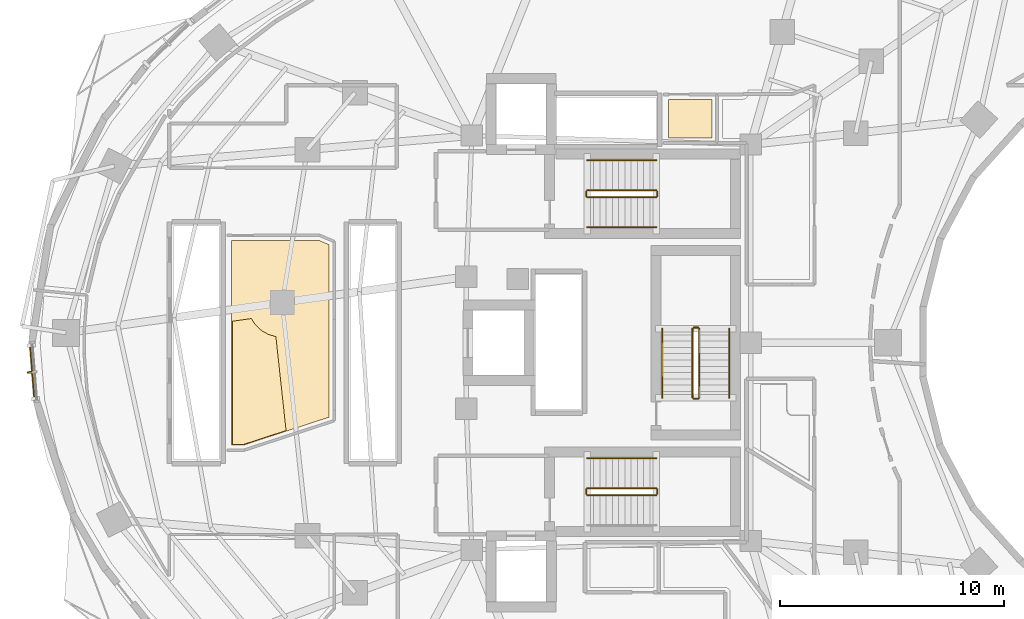
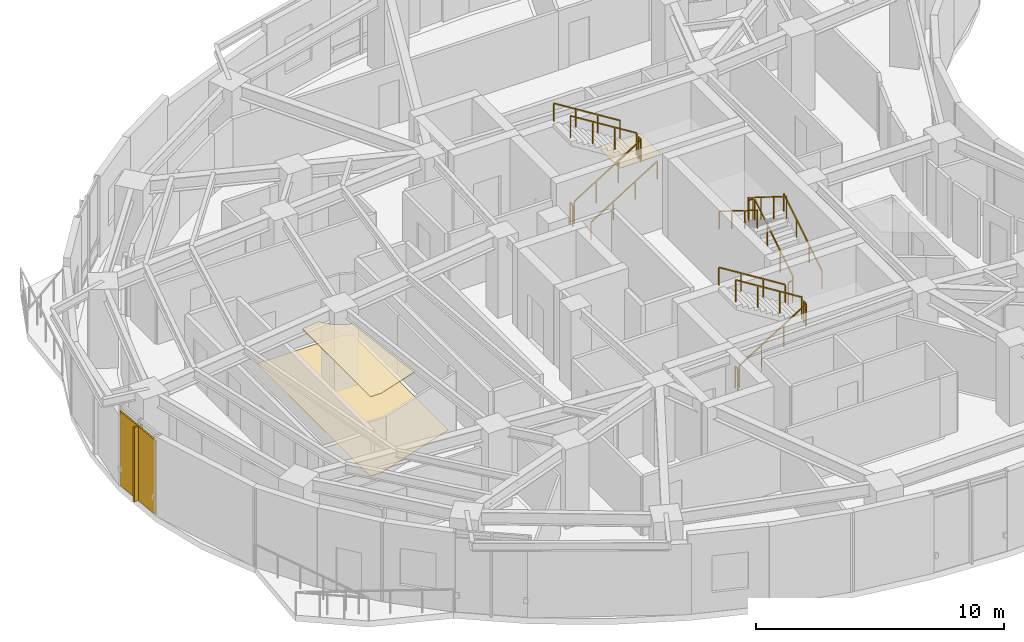
# One storey, part 14 of 15: 17 railings, 3 coverings, 2 shading devices.
"""IFC4 building model written with IfcOpenShell, lengths in metres."""

from ifc_helpers import new_model, si_unit, direction, frame, origin, origin_2d, place, context, subcontext, project, spatial, polyline, rectangle, outline, extrude, material, layer, layer_set, type_object, element, save


model = new_model("IFC4")

# Units and contexts
model_context = context("Model", 3, precision=1e-05, world=origin(), true_north=direction((0.0, 1.0)))
body_context = subcontext(model_context, "Body", "Model", "MODEL_VIEW")
ifc_project = project(units=[si_unit("LENGTHUNIT", "METRE"), si_unit("AREAUNIT", "SQUARE_METRE"), si_unit("VOLUMEUNIT", "CUBIC_METRE"), si_unit("PLANEANGLEUNIT", "RADIAN"), si_unit("MASSUNIT", "GRAM", prefix="KILO")], contexts=[model_context])

# Site, building, storey
site_placement = place(None, origin())
site = spatial("IfcSite", under=ifc_project, at=site_placement, CompositionType="ELEMENT")
building_placement = place(site_placement, origin())
building = spatial("IfcBuilding", under=site, at=building_placement, Name="Korentha Bioscience Tower", CompositionType="ELEMENT")
storey_placement = place(building_placement, frame((0.0, 0.0, 98.39990234375)))
storey = spatial("IfcBuildingStorey", under=building, at=storey_placement, Name="L22", CompositionType="ELEMENT", Elevation=98.39990234375)

# Covering
ifc_material_1 = material(Name="Vitrified Porcelain Tile", Category="ceramic")
ifc_layer_1 = layer(ifc_material_1, 0.014892578125, Name="Vitrified Porcelain Tile")
ifc_layer_set_1 = layer_set([ifc_layer_1], Name="Vitrified Porcelain Tile (FL-CER)")
covering_type_1 = type_object("IfcCoveringType", Name="Anti-Slip Ceramic Wet-Room Tile Flooring 15", PredefinedType="FLOORING", material=ifc_layer_set_1)
covering_1_placement = place(storey_placement, origin())
element("IfcCovering", 1, at=covering_1_placement, inside=storey, type_object=covering_type_1, Name="L22 Accessible Staff WC Floor Finish", PredefinedType="FLOORING", context=body_context, shape_type="SweptSolid", body=[
    extrude(outline(polyline([(33.8701171875, 36.1298828125), (33.8701171875, 37.8701171875), (35.830078125, 37.8701171875), (35.830078125, 36.1298828125), (33.8701171875, 36.1298828125)])), origin(), (0.0, 0.0, 1.0), 0.01513671875),
])

# Railings
ifc_material_2 = material(Name="Stainless Steel 304", Category="steel")
railing_type_1 = type_object("IfcRailingType", Name="Brushed Stainless Stair Handrail 900", PredefinedType="HANDRAIL", material=ifc_material_2)
railing_1_placement = place(storey_placement, frame((30.25, 32.14990234375, 0.175048828125)))
element("IfcRailing", 2, at=railing_1_placement, inside=storey, type_object=railing_type_1, Name="L22 ST-1 stair handrail 1", PredefinedType="HANDRAIL", context=body_context, shape_type="SweptSolid", body=[
    extrude(rectangle(XDim=0.048095703125, YDim=0.048095703125, at=origin_2d()), frame((0.0, 0.0, 0.8759765625), z_axis=(0.847998304005, 0.0, 0.529998940003), x_axis=(0.0, 1.0, 0.0)), (0.0, 0.0, 1.0), 3.632080078125),
    extrude(rectangle(XDim=0.0419921875, YDim=0.0419921875, at=origin_2d()), origin(), (0.0, 0.0, 1.0), 0.851806640625),
    extrude(rectangle(XDim=0.0419921875, YDim=0.0419921875, at=origin_2d()), frame((1.026611328125, 0.0, 0.6416015625)), (0.0, 0.0, 1.0), 0.851806640625),
    extrude(rectangle(XDim=0.0419921875, YDim=0.0419921875, at=origin_2d()), frame((2.053466796875, 0.0, 1.283447265625)), (0.0, 0.0, 1.0), 0.851806640625),
    extrude(rectangle(XDim=0.0419921875, YDim=0.0419921875, at=origin_2d()), frame((3.080078125, 0.0, 1.925048828125)), (0.0, 0.0, 1.0), 0.851806640625),
])
for number, where, name in (
    (3, (33.330078125, 35.14990234375, 2.275146484375), "L22 ST-1 stair handrail 2"),
    (4, (33.330078125, 21.85009765625, 2.275146484375), "L22 ST-2 stair handrail 2"),
):
    element("IfcRailing", number, at=place(storey_placement, frame(where)), inside=storey, type_object=railing_type_1, Name=name, PredefinedType="HANDRAIL", context=body_context, shape_type="SweptSolid", body=[
        extrude(rectangle(XDim=0.048095703125, YDim=0.048095703125, at=origin_2d()), frame((0.0, 0.0, 0.8759765625), z_axis=(-0.847998304005, 0.0, 0.529998940003), x_axis=(0.0, -1.0, 0.0)), (0.0, 0.0, 1.0), 3.632080078125),
        extrude(rectangle(XDim=0.0419921875, YDim=0.0419921875, at=origin_2d()), origin(), (0.0, 0.0, 1.0), 0.851806640625),
        extrude(rectangle(XDim=0.0419921875, YDim=0.0419921875, at=origin_2d()), frame((-1.026611328125, 0.0, 0.6416015625)), (0.0, 0.0, 1.0), 0.851806640625),
        extrude(rectangle(XDim=0.0419921875, YDim=0.0419921875, at=origin_2d()), frame((-2.053466796875, 0.0, 1.283447265625)), (0.0, 0.0, 1.0), 0.851806640625),
        extrude(rectangle(XDim=0.0419921875, YDim=0.0419921875, at=origin_2d()), frame((-3.080078125, 0.0, 1.925048828125)), (0.0, 0.0, 1.0), 0.851806640625),
    ])
railing_2_placement = place(storey_placement, frame((36.60009765625, 24.550048828125, 0.175048828125)))
element("IfcRailing", 5, at=railing_2_placement, inside=storey, type_object=railing_type_1, Name="L22 ST-3 stair handrail 1", PredefinedType="HANDRAIL", context=body_context, shape_type="SweptSolid", body=[
    extrude(rectangle(XDim=0.048095703125, YDim=0.048095703125, at=origin_2d()), frame((0.0, 0.0, 0.8759765625), z_axis=(0.0, 0.847979421464, 0.530029150871), x_axis=(-1.0, 0.0, 0.0)), (0.0, 0.0, 1.0), 3.632080078125),
    extrude(rectangle(XDim=0.0419921875, YDim=0.0419921875, at=origin_2d()), origin(), (0.0, 0.0, 1.0), 0.851806640625),
    extrude(rectangle(XDim=0.0419921875, YDim=0.0419921875, at=origin_2d()), frame((0.0, 1.026611328125, 0.6416015625)), (0.0, 0.0, 1.0), 0.851806640625),
    extrude(rectangle(XDim=0.0419921875, YDim=0.0419921875, at=origin_2d()), frame((0.0, 2.05322265625, 1.283447265625)), (0.0, 0.0, 1.0), 0.851806640625),
    extrude(rectangle(XDim=0.0419921875, YDim=0.0419921875, at=origin_2d()), frame((0.0, 3.079833984375, 1.925048828125)), (0.0, 0.0, 1.0), 0.851806640625),
])
railing_3_placement = place(storey_placement, frame((33.60009765625, 27.6298828125, 2.275146484375)))
element("IfcRailing", 6, at=railing_3_placement, inside=storey, type_object=railing_type_1, Name="L22 ST-3 stair handrail 2", PredefinedType="HANDRAIL", context=body_context, shape_type="SweptSolid", body=[
    extrude(rectangle(XDim=0.048095703125, YDim=0.048095703125, at=origin_2d()), frame((0.0, 0.0, 0.8759765625), z_axis=(0.0, -0.847979421464, 0.530029150871), x_axis=(1.0, 0.0, 0.0)), (0.0, 0.0, 1.0), 3.632080078125),
    extrude(rectangle(XDim=0.0419921875, YDim=0.0419921875, at=origin_2d()), origin(), (0.0, 0.0, 1.0), 0.851806640625),
    extrude(rectangle(XDim=0.0419921875, YDim=0.0419921875, at=origin_2d()), frame((0.0, -1.026611328125, 0.6416015625)), (0.0, 0.0, 1.0), 0.851806640625),
    extrude(rectangle(XDim=0.0419921875, YDim=0.0419921875, at=origin_2d()), frame((0.0, -2.05322265625, 1.283447265625)), (0.0, 0.0, 1.0), 0.851806640625),
    extrude(rectangle(XDim=0.0419921875, YDim=0.0419921875, at=origin_2d()), frame((0.0, -3.079833984375, 1.925048828125)), (0.0, 0.0, 1.0), 0.851806640625),
])

# Covering
ifc_material_3 = material(Name="Antimicrobial Mineral Fibre Board", Category="gypsum")
ifc_layer_2 = layer(ifc_material_3, 0.034912109375, Name="Antimicrobial Mineral Fibre Board")
ifc_layer_set_2 = layer_set([ifc_layer_2], Name="Antimicrobial Mineral Fibre Board (CL-MF35)")
covering_type_2 = type_object("IfcCoveringType", Name="Mineral-Fibre Cleanroom Suspended Ceiling 35", PredefinedType="CEILING", material=ifc_layer_set_2)
covering_2_placement = place(storey_placement, frame((0.0, 0.0, 3.864990234375)))
element("IfcCovering", 7, at=covering_2_placement, inside=storey, type_object=covering_type_2, Name="L22 Senior Scientist Corner Office 11 Acoustic Ceiling", PredefinedType="CEILING", context=body_context, shape_type="SweptSolid", body=[
    extrude(outline(polyline([(14.409912109375, 22.4599609375), (14.409912109375, 27.96044921875), (15.25390625, 28.078857421875), (15.428955078125, 27.813232421875), (15.643798828125, 27.598388671875), (15.76611328125, 27.5078125), (16.033935546875, 27.364501953125), (16.35009765625, 27.272705078125), (16.805419921875, 23.080810546875), (14.906494140625, 22.4599609375), (14.409912109375, 22.4599609375)])), origin(), (0.0, 0.0, 1.0), 0.03515625),
])

# Railings
ifc_material_4 = material(Name="Painted Steel S275", Category="steel")
railing_type_2 = type_object("IfcRailingType", Name="Painted Steel Stair Well Guardrail 1100", PredefinedType="GUARDRAIL", material=ifc_material_4)
railing_4_placement = place(storey_placement, frame((30.25, 33.5, 0.175048828125)))
element("IfcRailing", 8, at=railing_4_placement, inside=storey, type_object=railing_type_2, Name="L22 ST-1 stair guard 1", PredefinedType="GUARDRAIL", context=body_context, shape_type="SweptSolid", body=[
    extrude(rectangle(XDim=0.048095703125, YDim=0.048095703125, at=origin_2d()), frame((0.0, 0.0, 1.076171875), z_axis=(0.847998304005, 0.0, 0.529998940003), x_axis=(0.0, 1.0, 0.0)), (0.0, 0.0, 1.0), 3.632080078125),
    extrude(rectangle(XDim=0.0419921875, YDim=0.0419921875, at=origin_2d()), origin(), (0.0, 0.0, 1.0), 1.052001953125),
    extrude(rectangle(XDim=0.0419921875, YDim=0.0419921875, at=origin_2d()), frame((1.026611328125, 0.0, 0.6416015625)), (0.0, 0.0, 1.0), 1.052001953125),
    extrude(rectangle(XDim=0.0419921875, YDim=0.0419921875, at=origin_2d()), frame((2.053466796875, 0.0, 1.283447265625)), (0.0, 0.0, 1.0), 1.052001953125),
    extrude(rectangle(XDim=0.0419921875, YDim=0.0419921875, at=origin_2d()), frame((3.080078125, 0.0, 1.925048828125)), (0.0, 0.0, 1.0), 1.052001953125),
])
railing_5_placement = place(storey_placement, frame((33.3798828125, 33.550048828125, 2.10009765625)))
element("IfcRailing", 9, at=railing_5_placement, inside=storey, type_object=railing_type_2, Name="L22 ST-1 stair guard 2", PredefinedType="GUARDRAIL", context=body_context, shape_type="SweptSolid", body=[
    extrude(rectangle(XDim=0.048095703125, YDim=0.048095703125, at=origin_2d()), frame((0.0, 0.0, 1.076171875), z_axis=(0.0, 1.0, 0.0), x_axis=(-1.0, 0.0, 0.0)), (0.0, 0.0, 1.0), 0.199951171875),
    extrude(rectangle(XDim=0.0419921875, YDim=0.0419921875, at=origin_2d()), origin(), (0.0, 0.0, 1.0), 1.052001953125),
    extrude(rectangle(XDim=0.0419921875, YDim=0.0419921875, at=origin_2d()), frame((0.0, 0.199951171875, 0.0)), (0.0, 0.0, 1.0), 1.052001953125),
])
railing_6_placement = place(storey_placement, frame((33.330078125, 33.800048828125, 2.275146484375)))
element("IfcRailing", 10, at=railing_6_placement, inside=storey, type_object=railing_type_2, Name="L22 ST-1 stair guard 3", PredefinedType="GUARDRAIL", context=body_context, shape_type="SweptSolid", body=[
    extrude(rectangle(XDim=0.048095703125, YDim=0.048095703125, at=origin_2d()), frame((0.0, 0.0, 1.076171875), z_axis=(-0.847998304005, 0.0, 0.529998940003), x_axis=(0.0, -1.0, 0.0)), (0.0, 0.0, 1.0), 3.632080078125),
    extrude(rectangle(XDim=0.0419921875, YDim=0.0419921875, at=origin_2d()), origin(), (0.0, 0.0, 1.0), 1.052001953125),
    extrude(rectangle(XDim=0.0419921875, YDim=0.0419921875, at=origin_2d()), frame((-1.026611328125, 0.0, 0.6416015625)), (0.0, 0.0, 1.0), 1.052001953125),
    extrude(rectangle(XDim=0.0419921875, YDim=0.0419921875, at=origin_2d()), frame((-2.053466796875, 0.0, 1.283447265625)), (0.0, 0.0, 1.0), 1.052001953125),
    extrude(rectangle(XDim=0.0419921875, YDim=0.0419921875, at=origin_2d()), frame((-3.080078125, 0.0, 1.925048828125)), (0.0, 0.0, 1.0), 1.052001953125),
])
railing_7_placement = place(storey_placement, frame((30.199951171875, 33.550048828125, 0.0)))
element("IfcRailing", 11, at=railing_7_placement, inside=storey, type_object=railing_type_2, Name="L22 ST-1 stair guard 4", PredefinedType="GUARDRAIL", context=body_context, shape_type="SweptSolid", body=[
    extrude(rectangle(XDim=0.048095703125, YDim=0.048095703125, at=origin_2d()), frame((0.0, 0.0, 1.076171875), z_axis=(0.0, 1.0, 0.0), x_axis=(-1.0, 0.0, 0.0)), (0.0, 0.0, 1.0), 0.199951171875),
    extrude(rectangle(XDim=0.0419921875, YDim=0.0419921875, at=origin_2d()), origin(), (0.0, 0.0, 1.0), 1.052001953125),
    extrude(rectangle(XDim=0.0419921875, YDim=0.0419921875, at=origin_2d()), frame((0.0, 0.199951171875, 0.0)), (0.0, 0.0, 1.0), 1.052001953125),
])
railing_8_placement = place(storey_placement, frame((30.25, 20.199951171875, 0.175048828125)))
element("IfcRailing", 12, at=railing_8_placement, inside=storey, type_object=railing_type_2, Name="L22 ST-2 stair guard 1", PredefinedType="GUARDRAIL", context=body_context, shape_type="SweptSolid", body=[
    extrude(rectangle(XDim=0.048095703125, YDim=0.048095703125, at=origin_2d()), frame((0.0, 0.0, 1.076171875), z_axis=(0.847998304005, 0.0, 0.529998940003), x_axis=(0.0, 1.0, 0.0)), (0.0, 0.0, 1.0), 3.632080078125),
    extrude(rectangle(XDim=0.0419921875, YDim=0.0419921875, at=origin_2d()), origin(), (0.0, 0.0, 1.0), 1.052001953125),
    extrude(rectangle(XDim=0.0419921875, YDim=0.0419921875, at=origin_2d()), frame((1.026611328125, 0.0, 0.6416015625)), (0.0, 0.0, 1.0), 1.052001953125),
    extrude(rectangle(XDim=0.0419921875, YDim=0.0419921875, at=origin_2d()), frame((2.053466796875, 0.0, 1.283447265625)), (0.0, 0.0, 1.0), 1.052001953125),
    extrude(rectangle(XDim=0.0419921875, YDim=0.0419921875, at=origin_2d()), frame((3.080078125, 0.0, 1.925048828125)), (0.0, 0.0, 1.0), 1.052001953125),
])
railing_9_placement = place(storey_placement, frame((33.3798828125, 20.25, 2.10009765625)))
element("IfcRailing", 13, at=railing_9_placement, inside=storey, type_object=railing_type_2, Name="L22 ST-2 stair guard 2", PredefinedType="GUARDRAIL", context=body_context, shape_type="SweptSolid", body=[
    extrude(rectangle(XDim=0.048095703125, YDim=0.048095703125, at=origin_2d()), frame((0.0, 0.0, 1.076171875), z_axis=(0.0, 1.0, 0.0), x_axis=(-1.0, 0.0, 0.0)), (0.0, 0.0, 1.0), 0.199951171875),
    extrude(rectangle(XDim=0.0419921875, YDim=0.0419921875, at=origin_2d()), origin(), (0.0, 0.0, 1.0), 1.052001953125),
    extrude(rectangle(XDim=0.0419921875, YDim=0.0419921875, at=origin_2d()), frame((0.0, 0.199951171875, 0.0)), (0.0, 0.0, 1.0), 1.052001953125),
])
railing_10_placement = place(storey_placement, frame((33.330078125, 20.5, 2.275146484375)))
element("IfcRailing", 14, at=railing_10_placement, inside=storey, type_object=railing_type_2, Name="L22 ST-2 stair guard 3", PredefinedType="GUARDRAIL", context=body_context, shape_type="SweptSolid", body=[
    extrude(rectangle(XDim=0.048095703125, YDim=0.048095703125, at=origin_2d()), frame((0.0, 0.0, 1.076171875), z_axis=(-0.847998304005, 0.0, 0.529998940003), x_axis=(0.0, -1.0, 0.0)), (0.0, 0.0, 1.0), 3.632080078125),
    extrude(rectangle(XDim=0.0419921875, YDim=0.0419921875, at=origin_2d()), origin(), (0.0, 0.0, 1.0), 1.052001953125),
    extrude(rectangle(XDim=0.0419921875, YDim=0.0419921875, at=origin_2d()), frame((-1.026611328125, 0.0, 0.6416015625)), (0.0, 0.0, 1.0), 1.052001953125),
    extrude(rectangle(XDim=0.0419921875, YDim=0.0419921875, at=origin_2d()), frame((-2.053466796875, 0.0, 1.283447265625)), (0.0, 0.0, 1.0), 1.052001953125),
    extrude(rectangle(XDim=0.0419921875, YDim=0.0419921875, at=origin_2d()), frame((-3.080078125, 0.0, 1.925048828125)), (0.0, 0.0, 1.0), 1.052001953125),
])
railing_11_placement = place(storey_placement, frame((30.199951171875, 20.25, 0.0)))
element("IfcRailing", 15, at=railing_11_placement, inside=storey, type_object=railing_type_2, Name="L22 ST-2 stair guard 4", PredefinedType="GUARDRAIL", context=body_context, shape_type="SweptSolid", body=[
    extrude(rectangle(XDim=0.048095703125, YDim=0.048095703125, at=origin_2d()), frame((0.0, 0.0, 1.076171875), z_axis=(0.0, 1.0, 0.0), x_axis=(-1.0, 0.0, 0.0)), (0.0, 0.0, 1.0), 0.199951171875),
    extrude(rectangle(XDim=0.0419921875, YDim=0.0419921875, at=origin_2d()), origin(), (0.0, 0.0, 1.0), 1.052001953125),
    extrude(rectangle(XDim=0.0419921875, YDim=0.0419921875, at=origin_2d()), frame((0.0, 0.199951171875, 0.0)), (0.0, 0.0, 1.0), 1.052001953125),
])
railing_12_placement = place(storey_placement, frame((35.25, 24.550048828125, 0.175048828125)))
element("IfcRailing", 16, at=railing_12_placement, inside=storey, type_object=railing_type_2, Name="L22 ST-3 stair guard 1", PredefinedType="GUARDRAIL", context=body_context, shape_type="SweptSolid", body=[
    extrude(rectangle(XDim=0.048095703125, YDim=0.048095703125, at=origin_2d()), frame((0.0, 0.0, 1.076171875), z_axis=(0.0, 0.847979421464, 0.530029150871), x_axis=(-1.0, 0.0, 0.0)), (0.0, 0.0, 1.0), 3.632080078125),
    extrude(rectangle(XDim=0.0419921875, YDim=0.0419921875, at=origin_2d()), origin(), (0.0, 0.0, 1.0), 1.052001953125),
    extrude(rectangle(XDim=0.0419921875, YDim=0.0419921875, at=origin_2d()), frame((0.0, 1.026611328125, 0.6416015625)), (0.0, 0.0, 1.0), 1.052001953125),
    extrude(rectangle(XDim=0.0419921875, YDim=0.0419921875, at=origin_2d()), frame((0.0, 2.05322265625, 1.283447265625)), (0.0, 0.0, 1.0), 1.052001953125),
    extrude(rectangle(XDim=0.0419921875, YDim=0.0419921875, at=origin_2d()), frame((0.0, 3.079833984375, 1.925048828125)), (0.0, 0.0, 1.0), 1.052001953125),
])
railing_13_placement = place(storey_placement, frame((35.199951171875, 27.679931640625, 2.10009765625)))
element("IfcRailing", 17, at=railing_13_placement, inside=storey, type_object=railing_type_2, Name="L22 ST-3 stair guard 2", PredefinedType="GUARDRAIL", context=body_context, shape_type="SweptSolid", body=[
    extrude(rectangle(XDim=0.048095703125, YDim=0.048095703125, at=origin_2d()), frame((0.0, 0.0, 1.076171875), z_axis=(-1.0, 0.0, 0.0), x_axis=(0.0, -1.0, 0.0)), (0.0, 0.0, 1.0), 0.199951171875),
    extrude(rectangle(XDim=0.0419921875, YDim=0.0419921875, at=origin_2d()), origin(), (0.0, 0.0, 1.0), 1.052001953125),
    extrude(rectangle(XDim=0.0419921875, YDim=0.0419921875, at=origin_2d()), frame((-0.199951171875, 0.0, 0.0)), (0.0, 0.0, 1.0), 1.052001953125),
])
railing_14_placement = place(storey_placement, frame((34.949951171875, 27.6298828125, 2.275146484375)))
element("IfcRailing", 18, at=railing_14_placement, inside=storey, type_object=railing_type_2, Name="L22 ST-3 stair guard 3", PredefinedType="GUARDRAIL", context=body_context, shape_type="SweptSolid", body=[
    extrude(rectangle(XDim=0.048095703125, YDim=0.048095703125, at=origin_2d()), frame((0.0, 0.0, 1.076171875), z_axis=(0.0, -0.847979421464, 0.530029150871), x_axis=(1.0, 0.0, 0.0)), (0.0, 0.0, 1.0), 3.632080078125),
    extrude(rectangle(XDim=0.0419921875, YDim=0.0419921875, at=origin_2d()), origin(), (0.0, 0.0, 1.0), 1.052001953125),
    extrude(rectangle(XDim=0.0419921875, YDim=0.0419921875, at=origin_2d()), frame((0.0, -1.026611328125, 0.6416015625)), (0.0, 0.0, 1.0), 1.052001953125),
    extrude(rectangle(XDim=0.0419921875, YDim=0.0419921875, at=origin_2d()), frame((0.0, -2.05322265625, 1.283447265625)), (0.0, 0.0, 1.0), 1.052001953125),
    extrude(rectangle(XDim=0.0419921875, YDim=0.0419921875, at=origin_2d()), frame((0.0, -3.079833984375, 1.925048828125)), (0.0, 0.0, 1.0), 1.052001953125),
])
railing_15_placement = place(storey_placement, frame((35.199951171875, 24.5, 0.0)))
element("IfcRailing", 19, at=railing_15_placement, inside=storey, type_object=railing_type_2, Name="L22 ST-3 stair guard 4", PredefinedType="GUARDRAIL", context=body_context, shape_type="SweptSolid", body=[
    extrude(rectangle(XDim=0.048095703125, YDim=0.048095703125, at=origin_2d()), frame((0.0, 0.0, 1.076171875), z_axis=(-1.0, 0.0, 0.0), x_axis=(0.0, -1.0, 0.0)), (0.0, 0.0, 1.0), 0.199951171875),
    extrude(rectangle(XDim=0.0419921875, YDim=0.0419921875, at=origin_2d()), origin(), (0.0, 0.0, 1.0), 1.052001953125),
    extrude(rectangle(XDim=0.0419921875, YDim=0.0419921875, at=origin_2d()), frame((-0.199951171875, 0.0, 0.0)), (0.0, 0.0, 1.0), 1.052001953125),
])

# Shading device
ifc_material_5 = material(Name="Perforated Stone-Ceramic Composite", Category="masonry")
ifc_layer_3 = layer(ifc_material_5, 0.06494140625, Name="Perforated Stone-Ceramic Composite")
ifc_layer_set_3 = layer_set([ifc_layer_3], Name="Perforated Stone-Ceramic Composite (CS-01)")
shading_device_type_1 = type_object("IfcShadingDeviceType", Name="Perforated Stone-Ceramic Solar Screen Panel 65", PredefinedType="USERDEFINED", material=ifc_layer_set_3)
shading_device_1_placement = place(storey_placement, frame((5.478271484375, 25.6884765625, 0.000244140625), z_axis=(0.0, 0.0, 1.0), x_axis=(0.079130214674, -0.996864288219, 0.0)))
element("IfcShadingDevice", 20, at=shading_device_1_placement, inside=storey, type_object=shading_device_type_1, Name="CW-L22-19 Perforated Stone-Ceramic Solar Screen", ObjectType="SCREEN", PredefinedType="USERDEFINED", context=body_context, shape_type="SweptSolid", body=[
    extrude(rectangle(XDim=2.540771484375, YDim=0.06494140625, at=origin_2d()), origin(), (0.0, 0.0, 1.0), 3.64990234375),
])

# Covering
ifc_material_6 = material(Name="Chemical-Resistant Epoxy Resin", Category="polymer")
ifc_layer_4 = layer(ifc_material_6, 0.011962890625, Name="Chemical-Resistant Epoxy Resin")
ifc_layer_set_4 = layer_set([ifc_layer_4], Name="Chemical-Resistant Epoxy Resin (FL-EPX)")
covering_type_3 = type_object("IfcCoveringType", Name="Seamless Epoxy Laboratory Flooring 12", PredefinedType="FLOORING", material=ifc_layer_set_4)
covering_3_placement = place(storey_placement, origin())
element("IfcCovering", 21, at=covering_3_placement, inside=storey, type_object=covering_type_3, Name="L22 Senior Scientist Corner Office 11 Floor Finish", PredefinedType="FLOORING", context=body_context, shape_type="SweptSolid", body=[
    extrude(outline(polyline([(14.3798828125, 22.429931640625), (14.3798828125, 31.570068359375), (18.273193359375, 31.570068359375), (18.727783203125, 31.376953125), (18.727783203125, 23.677490234375), (14.9111328125, 22.429931640625), (14.3798828125, 22.429931640625)])), origin(), (0.0, 0.0, 1.0), 0.01220703125),
])

# Shading device
ifc_material_7 = material(Name="Honed Travertine Limestone", Category="masonry")
ifc_layer_5 = layer(ifc_material_7, 0.080078125, Name="Honed Travertine Limestone")
ifc_layer_set_5 = layer_set([ifc_layer_5], Name="Honed Travertine Limestone (CS-02)")
shading_device_type_2 = type_object("IfcShadingDeviceType", Name="Vertical Honed Limestone Sunshade Fin 80x420", PredefinedType="USERDEFINED", material=ifc_layer_set_5)
shading_device_2_placement = place(storey_placement, frame((5.458251953125, 25.68701171875, 0.000244140625), z_axis=(0.0, 0.0, 1.0), x_axis=(0.079130214674, -0.996864288219, 0.0)))
element("IfcShadingDevice", 22, at=shading_device_2_placement, inside=storey, type_object=shading_device_type_2, Name="CW-L22-19 Limestone Sunshade Fin", ObjectType="SCREEN", PredefinedType="USERDEFINED", context=body_context, shape_type="SweptSolid", body=[
    extrude(rectangle(XDim=0.080078125, YDim=0.419921875, at=origin_2d()), origin(), (0.0, 0.0, 1.0), 3.64990234375),
])

save(model, "model.ifc")
